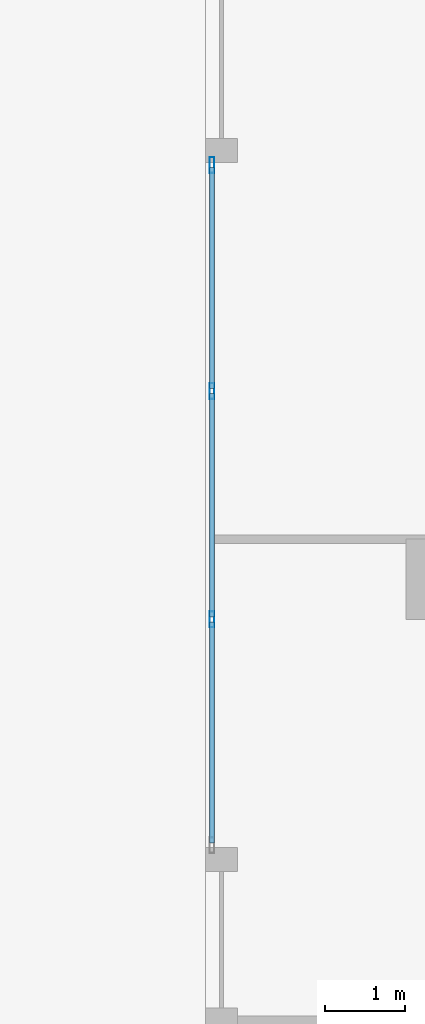
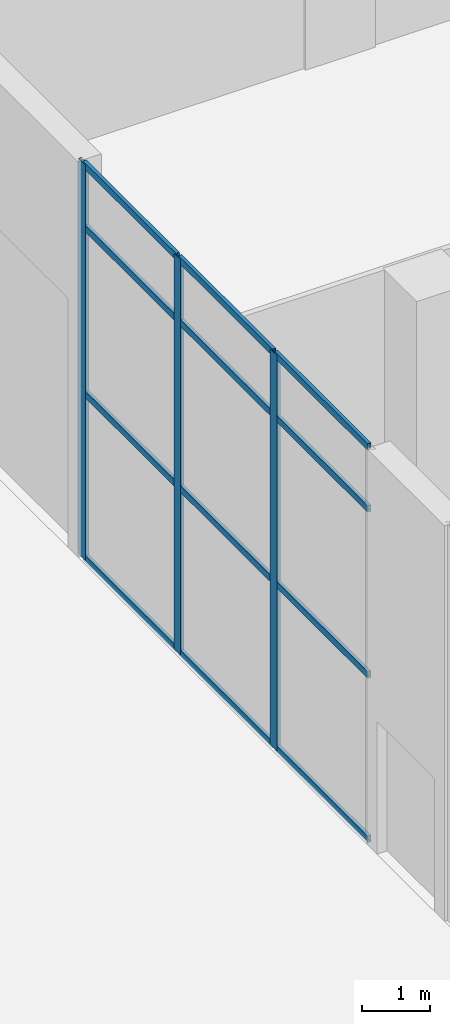
# One storey, part 3 of 52: 15 members, 1 element without a shape of its own.
"""IFC4 building model written with IfcOpenShell, lengths in metres."""

from ifc_helpers import new_model, si_unit, direction, frame, origin, origin_2d, place, context, subcontext, project, spatial, hollow_rectangle, extrude, source, transform, mapped, material, material_profile, profile_set, type_object, element, aggregate, save


model = new_model("IFC4")

# Units and contexts
model_context = context("Model", 3, precision=1e-05, world=origin(), true_north=direction((0.0, 1.0)))
body_context = subcontext(model_context, "Body", "Model", "MODEL_VIEW")
ifc_project = project(units=[si_unit("LENGTHUNIT", "METRE"), si_unit("AREAUNIT", "SQUARE_METRE"), si_unit("VOLUMEUNIT", "CUBIC_METRE"), si_unit("PLANEANGLEUNIT", "RADIAN"), si_unit("MASSUNIT", "GRAM", prefix="KILO")], contexts=[model_context])

# Site, building, storey
site_placement = place(None, origin())
site = spatial("IfcSite", under=ifc_project, at=site_placement, CompositionType="ELEMENT")
building_placement = place(site_placement, origin())
building = spatial("IfcBuilding", under=site, at=building_placement, Name="Khomas Fold Tower", CompositionType="ELEMENT")
storey_placement = place(building_placement, origin())
storey = spatial("IfcBuildingStorey", under=building, at=storey_placement, Name="L00", CompositionType="ELEMENT", Elevation=0.0)

# Curtain wall, members
ifc_material_1 = material(Name="Aluminium framed double glazing", Category="aluminium")
curtain_wall_type = type_object("IfcCurtainWallType", Name="Shopfront glazing PD-CW", PredefinedType="NOTDEFINED", material=ifc_material_1)
curtain_wall_placement = place(storey_placement, origin())
curtain_wall = element("IfcCurtainWall", 1, at=curtain_wall_placement, inside=storey, type_object=curtain_wall_type, Name="Podium shopfront run", PredefinedType="NOTDEFINED")
ifc_material_2 = material(Name="Aluminium", Category="aluminium")
ifc_material_profile_1 = material_profile(ifc_material_2, hollow_rectangle(XDim=0.06005859375, YDim=0.199951171875, WallThickness=0.00390625, at=origin_2d()), Name="Shopfront glazing mullion PD-CW-M")
ifc_profile_set_1 = profile_set([ifc_material_profile_1], Name="Aluminium")
member_type_1 = type_object("IfcMemberType", Name="Shopfront glazing mullion PD-CW-M", PredefinedType="MULLION", material=ifc_profile_set_1)
shared_shape_1 = source(origin(), body_context, "Body", "SweptSolid", [
    extrude(hollow_rectangle(XDim=0.06005859375, YDim=0.199951171875, WallThickness=0.00390625, at=origin_2d()), origin(), (0.0, 0.0, 1.0), 7.14990234375),
])
member_1_placement = place(storey_placement, frame((-8.919921875, 24.669921875, 0.0), z_axis=(0.0, 0.0, 1.0), x_axis=(1.0, 0.0, 0.0)))
member_1 = element("IfcMember", 2, at=member_1_placement, type_object=member_type_1, Name="PD-CW mullion 1", PredefinedType="MULLION", context=body_context, shape_type="MappedRepresentation", body=[
    mapped(shared_shape_1, transform((0.0, 0.0, 0.0))),
])
member_2_placement = place(storey_placement, frame((-8.919921875, 21.85009765625, 0.0), z_axis=(0.0, 0.0, 1.0), x_axis=(1.0, 0.0, 0.0)))
member_2 = element("IfcMember", 3, at=member_2_placement, type_object=member_type_1, Name="PD-CW mullion 2", PredefinedType="MULLION", context=body_context, shape_type="MappedRepresentation", body=[
    mapped(shared_shape_1, transform((0.0, 0.0, 0.0))),
])
member_3_placement = place(storey_placement, frame((-8.919921875, 19.0, 0.0), z_axis=(0.0, 0.0, 1.0), x_axis=(1.0, 0.0, 0.0)))
member_3 = element("IfcMember", 4, at=member_3_placement, type_object=member_type_1, Name="PD-CW mullion 3", PredefinedType="MULLION", context=body_context, shape_type="MappedRepresentation", body=[
    mapped(shared_shape_1, transform((0.0, 0.0, 0.0))),
])
ifc_material_3 = material(Name="Aluminium", Category="aluminium")
ifc_material_profile_2 = material_profile(ifc_material_3, hollow_rectangle(XDim=0.06005859375, YDim=0.1201171875, WallThickness=0.00390625, at=origin_2d()), Name="Shopfront glazing transom PD-CW-T")
ifc_profile_set_2 = profile_set([ifc_material_profile_2], Name="Aluminium")
member_type_2 = type_object("IfcMemberType", Name="Shopfront glazing transom PD-CW-T", PredefinedType="USERDEFINED", material=ifc_profile_set_2)
shared_shape_2 = source(origin(), body_context, "Body", "SweptSolid", [
    extrude(hollow_rectangle(XDim=0.06005859375, YDim=0.1201171875, WallThickness=0.00390625, at=origin_2d()), origin(), (0.0, 0.0, 1.0), 2.760009765625),
])
member_4_placement = place(storey_placement, frame((-8.919921875, 24.639892578125, 0.030029296875), z_axis=(0.0, -1.0, 0.0), x_axis=(1.0, 0.0, 0.0)))
member_4 = element("IfcMember", 5, at=member_4_placement, type_object=member_type_2, Name="PD-CW transom 1.1", ObjectType="TRANSOM", PredefinedType="USERDEFINED", context=body_context, shape_type="MappedRepresentation", body=[
    mapped(shared_shape_2, transform((0.0, 0.0, 0.0))),
])
member_5_placement = place(storey_placement, frame((-8.919921875, 24.639892578125, 3.0), z_axis=(0.0, -1.0, 0.0), x_axis=(1.0, 0.0, 0.0)))
member_5 = element("IfcMember", 6, at=member_5_placement, type_object=member_type_2, Name="PD-CW transom 1.2", ObjectType="TRANSOM", PredefinedType="USERDEFINED", context=body_context, shape_type="MappedRepresentation", body=[
    mapped(shared_shape_2, transform((0.0, 0.0, 0.0))),
])
member_6_placement = place(storey_placement, frame((-8.919921875, 24.639892578125, 6.0), z_axis=(0.0, -1.0, 0.0), x_axis=(1.0, 0.0, 0.0)))
member_6 = element("IfcMember", 7, at=member_6_placement, type_object=member_type_2, Name="PD-CW transom 1.3", ObjectType="TRANSOM", PredefinedType="USERDEFINED", context=body_context, shape_type="MappedRepresentation", body=[
    mapped(shared_shape_2, transform((0.0, 0.0, 0.0))),
])
member_7_placement = place(storey_placement, frame((-8.919921875, 24.639892578125, 7.1201171875), z_axis=(0.0, -1.0, 0.0), x_axis=(1.0, 0.0, 0.0)))
member_7 = element("IfcMember", 8, at=member_7_placement, type_object=member_type_2, Name="PD-CW transom 1.4", ObjectType="TRANSOM", PredefinedType="USERDEFINED", context=body_context, shape_type="MappedRepresentation", body=[
    mapped(shared_shape_2, transform((0.0, 0.0, 0.0))),
])
member_8_placement = place(storey_placement, frame((-8.919921875, 18.969970703125, 0.030029296875), z_axis=(0.0, -1.0, 0.0), x_axis=(1.0, 0.0, 0.0)))
member_8 = element("IfcMember", 9, at=member_8_placement, type_object=member_type_2, Name="PD-CW transom 3.1", ObjectType="TRANSOM", PredefinedType="USERDEFINED", context=body_context, shape_type="MappedRepresentation", body=[
    mapped(shared_shape_2, transform((0.0, 0.0, 0.0))),
])
member_9_placement = place(storey_placement, frame((-8.919921875, 18.969970703125, 3.0), z_axis=(0.0, -1.0, 0.0), x_axis=(1.0, 0.0, 0.0)))
member_9 = element("IfcMember", 10, at=member_9_placement, type_object=member_type_2, Name="PD-CW transom 3.2", ObjectType="TRANSOM", PredefinedType="USERDEFINED", context=body_context, shape_type="MappedRepresentation", body=[
    mapped(shared_shape_2, transform((0.0, 0.0, 0.0))),
])
member_10_placement = place(storey_placement, frame((-8.919921875, 18.969970703125, 6.0), z_axis=(0.0, -1.0, 0.0), x_axis=(1.0, 0.0, 0.0)))
member_10 = element("IfcMember", 11, at=member_10_placement, type_object=member_type_2, Name="PD-CW transom 3.3", ObjectType="TRANSOM", PredefinedType="USERDEFINED", context=body_context, shape_type="MappedRepresentation", body=[
    mapped(shared_shape_2, transform((0.0, 0.0, 0.0))),
])
member_11_placement = place(storey_placement, frame((-8.919921875, 18.969970703125, 7.1201171875), z_axis=(0.0, -1.0, 0.0), x_axis=(1.0, 0.0, 0.0)))
member_11 = element("IfcMember", 12, at=member_11_placement, type_object=member_type_2, Name="PD-CW transom 3.4", ObjectType="TRANSOM", PredefinedType="USERDEFINED", context=body_context, shape_type="MappedRepresentation", body=[
    mapped(shared_shape_2, transform((0.0, 0.0, 0.0))),
])
shared_shape_3 = source(origin(), body_context, "Body", "SweptSolid", [
    extrude(hollow_rectangle(XDim=0.06005859375, YDim=0.1201171875, WallThickness=0.00390625, at=origin_2d()), origin(), (0.0, 0.0, 1.0), 2.7900390625),
])
member_12_placement = place(storey_placement, frame((-8.919921875, 21.820068359375, 0.030029296875), z_axis=(0.0, -1.0, 0.0), x_axis=(1.0, 0.0, 0.0)))
member_12 = element("IfcMember", 13, at=member_12_placement, type_object=member_type_2, Name="PD-CW transom 2.1", ObjectType="TRANSOM", PredefinedType="USERDEFINED", context=body_context, shape_type="MappedRepresentation", body=[
    mapped(shared_shape_3, transform((0.0, 0.0, 0.0))),
])
member_13_placement = place(storey_placement, frame((-8.919921875, 21.820068359375, 3.0), z_axis=(0.0, -1.0, 0.0), x_axis=(1.0, 0.0, 0.0)))
member_13 = element("IfcMember", 14, at=member_13_placement, type_object=member_type_2, Name="PD-CW transom 2.2", ObjectType="TRANSOM", PredefinedType="USERDEFINED", context=body_context, shape_type="MappedRepresentation", body=[
    mapped(shared_shape_3, transform((0.0, 0.0, 0.0))),
])
member_14_placement = place(storey_placement, frame((-8.919921875, 21.820068359375, 6.0), z_axis=(0.0, -1.0, 0.0), x_axis=(1.0, 0.0, 0.0)))
member_14 = element("IfcMember", 15, at=member_14_placement, type_object=member_type_2, Name="PD-CW transom 2.3", ObjectType="TRANSOM", PredefinedType="USERDEFINED", context=body_context, shape_type="MappedRepresentation", body=[
    mapped(shared_shape_3, transform((0.0, 0.0, 0.0))),
])
member_15_placement = place(storey_placement, frame((-8.919921875, 21.820068359375, 7.1201171875), z_axis=(0.0, -1.0, 0.0), x_axis=(1.0, 0.0, 0.0)))
member_15 = element("IfcMember", 16, at=member_15_placement, type_object=member_type_2, Name="PD-CW transom 2.4", ObjectType="TRANSOM", PredefinedType="USERDEFINED", context=body_context, shape_type="MappedRepresentation", body=[
    mapped(shared_shape_3, transform((0.0, 0.0, 0.0))),
])
aggregate(curtain_wall, [member_1, member_2, member_3, member_4, member_5, member_6, member_7, member_12, member_13, member_14, member_15, member_8, member_9, member_10, member_11])

save(model, "model.ifc")
